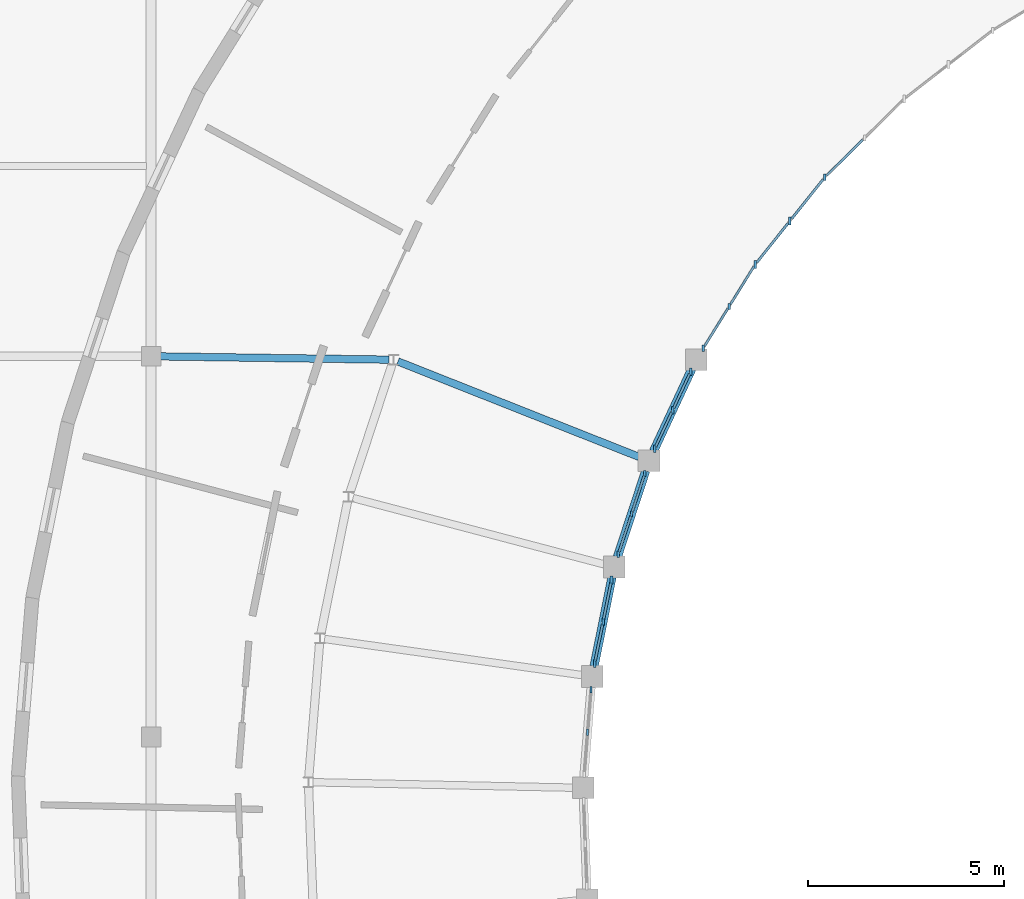
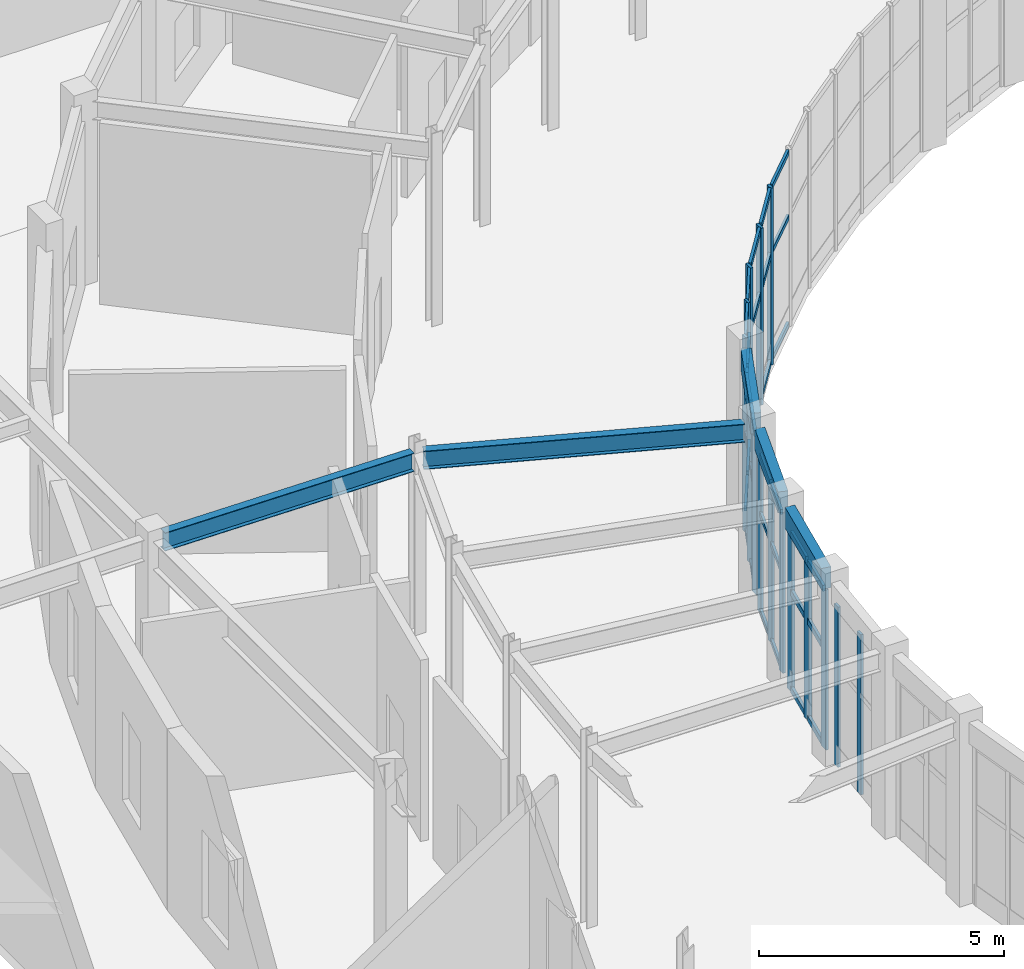
# One storey, part 44 of 144: 49 members, 5 beams, 7 elements without a shape of their own.
"""IFC4 building model written with IfcOpenShell, lengths in metres."""

from ifc_helpers import new_model, si_unit, direction, frame, origin, origin_2d, place, context, subcontext, project, spatial, rectangle, i_section, extrude, material, material_profile, profile_set, type_object, element, aggregate, save


model = new_model("IFC4")

# Units and contexts
model_context = context("Model", 3, precision=1e-05, world=origin(), true_north=direction((0.0, 1.0)))
body_context = subcontext(model_context, "Body", "Model", "MODEL_VIEW")
ifc_project = project(units=[si_unit("LENGTHUNIT", "METRE"), si_unit("AREAUNIT", "SQUARE_METRE"), si_unit("VOLUMEUNIT", "CUBIC_METRE"), si_unit("PLANEANGLEUNIT", "RADIAN"), si_unit("MASSUNIT", "GRAM", prefix="KILO")], contexts=[model_context])

# Site, building, storey
site_placement = place(None, origin())
site = spatial("IfcSite", under=ifc_project, at=site_placement, CompositionType="ELEMENT")
building_placement = place(site_placement, origin())
building = spatial("IfcBuilding", under=site, at=building_placement, Name="Cinderbank Siding Concert Hall", CompositionType="ELEMENT")
storey_placement = place(building_placement, frame((0.0, 0.0, 5.39990234375)))
storey = spatial("IfcBuildingStorey", under=building, at=storey_placement, Name="L02", CompositionType="ELEMENT", Elevation=5.39990234375)

# Beams
ifc_material_1 = material(Name="Structural steel AS/NZS 3679.1 Grade 350 (340 MPa)", Category="steel")
ifc_material_profile_1 = material_profile(ifc_material_1, i_section(OverallWidth=0.18994140625, OverallDepth=0.45751953125, WebThickness=0.009033203125, FlangeThickness=0.014404296875, at=origin_2d()), Name="460UB74.6", Category="LoadBearing")
ifc_profile_set_1 = profile_set([ifc_material_profile_1], Name="Structural steel AS/NZS 3679.1 Grade 350 (340 MPa)")
beam_type_1 = type_object("IfcBeamType", Name="BM-UB460 460UB74.6", PredefinedType="BEAM", material=ifc_profile_set_1)
beam_1_placement = place(storey_placement, frame((33.43701171875, 76.933349609375, 4.29345703125), z_axis=(-0.929777130015, 0.368122925801, 0.0), x_axis=(-0.368122925801, -0.929777130015, 0.0)))
element("IfcBeam", 1, at=beam_1_placement, inside=storey, type_object=beam_type_1, Name="L02 Beam BM-UB460 #963", PredefinedType="BEAM", context=body_context, shape_type="SweptSolid", body=[
    extrude(i_section(OverallWidth=0.18994140625, OverallDepth=0.45751953125, WebThickness=0.009033203125, FlangeThickness=0.014404296875, at=origin_2d()), origin(), (0.0, 0.0, 1.0), 6.61279296875),
])
beam_2_placement = place(storey_placement, frame((21.241943359375, 79.49658203125, 4.29345703125), z_axis=(0.999898727194, -0.014231491667, 0.0), x_axis=(0.014231491667, 0.999898727194, 0.0)))
element("IfcBeam", 2, at=beam_2_placement, inside=storey, type_object=beam_type_1, Name="L02 Beam BM-UB460 #1656", PredefinedType="BEAM", context=body_context, shape_type="SweptSolid", body=[
    extrude(i_section(OverallWidth=0.18994140625, OverallDepth=0.45751953125, WebThickness=0.009033203125, FlangeThickness=0.014404296875, at=origin_2d()), origin(), (0.0, 0.0, 1.0), 5.8154296875),
])

# Curtain wall, member
ifc_material_2 = material(Name="Anodised aluminium alloy 6063-T6", Category="aluminium")
curtain_wall_type_1 = type_object("IfcCurtainWallType", Name="CW-13 Unitised Acoustic Curtain Wall 4200x4400", PredefinedType="NOTDEFINED", material=ifc_material_2)
curtain_wall_1_placement = place(storey_placement, origin())
curtain_wall_1 = element("IfcCurtainWall", 3, at=curtain_wall_1_placement, inside=storey, type_object=curtain_wall_type_1, Name="L02 Curtain Wall CW-13 #112", PredefinedType="NOTDEFINED")
ifc_material_profile_2 = material_profile(ifc_material_2, rectangle(XDim=0.06005859375, YDim=0.159912109375, at=origin_2d()), Name="ALU-MULL-60x160", Category="LoadBearing")
ifc_profile_set_2 = profile_set([ifc_material_profile_2], Name="Anodised aluminium alloy 6063-T6")
member_type_1 = type_object("IfcMemberType", Name="CW-ML1 Mullion 60x160", PredefinedType="MULLION", material=ifc_profile_set_2)
member_1_placement = place(storey_placement, frame((38.16455078125, 84.05908203125, 0.0), z_axis=(0.0, 0.0, 1.0), x_axis=(1.0, 0.0, 0.0)))
member_1 = element("IfcMember", 4, at=member_1_placement, type_object=member_type_1, Name="CW-L02-112 Mullion 2", PredefinedType="MULLION", context=body_context, shape_type="SweptSolid", body=[
    extrude(rectangle(XDim=0.06005859375, YDim=0.159912109375, at=origin_2d()), origin(), (0.0, 0.0, 1.0), 4.400146484375),
])

# Curtain wall, members
curtain_wall_2_placement = place(storey_placement, origin())
curtain_wall_2 = element("IfcCurtainWall", 5, at=curtain_wall_2_placement, inside=storey, type_object=curtain_wall_type_1, Name="L02 Curtain Wall CW-13 #114", PredefinedType="NOTDEFINED")
member_2_placement = place(storey_placement, frame((35.72802734375, 80.769287109375, 0.0), z_axis=(0.0, 0.0, 1.0), x_axis=(1.0, 0.0, 0.0)))
member_2 = element("IfcMember", 6, at=member_2_placement, type_object=member_type_1, Name="CW-L02-114 Mullion 1", PredefinedType="MULLION", context=body_context, shape_type="SweptSolid", body=[
    extrude(rectangle(XDim=0.06005859375, YDim=0.159912109375, at=origin_2d()), origin(), (0.0, 0.0, 1.0), 4.400146484375),
])
member_3_placement = place(storey_placement, frame((35.067626953125, 79.7041015625, 0.0), z_axis=(0.0, 0.0, 1.0), x_axis=(1.0, 0.0, 0.0)))
member_3 = element("IfcMember", 7, at=member_3_placement, type_object=member_type_1, Name="CW-L02-114 Mullion 2", PredefinedType="MULLION", context=body_context, shape_type="SweptSolid", body=[
    extrude(rectangle(XDim=0.06005859375, YDim=0.159912109375, at=origin_2d()), origin(), (0.0, 0.0, 1.0), 4.400146484375),
])

curtain_wall_3_placement = place(storey_placement, origin())
curtain_wall_3 = element("IfcCurtainWall", 8, at=curtain_wall_3_placement, inside=storey, type_object=curtain_wall_type_1, Name="L02 Curtain Wall CW-13 #116", PredefinedType="NOTDEFINED")
member_4_placement = place(storey_placement, frame((33.5791015625, 76.511962890625, 0.0), z_axis=(0.0, 0.0, 1.0), x_axis=(1.0, 0.0, 0.0)))
member_4 = element("IfcMember", 9, at=member_4_placement, type_object=member_type_1, Name="CW-L02-116 Mullion 0", PredefinedType="MULLION", context=body_context, shape_type="SweptSolid", body=[
    extrude(rectangle(XDim=0.06005859375, YDim=0.159912109375, at=origin_2d()), origin(), (0.0, 0.0, 1.0), 3.987060546875),
])
member_5_placement = place(storey_placement, frame((33.24072265625, 75.48291015625, 0.0), z_axis=(0.0, 0.0, 1.0), x_axis=(1.0, 0.0, 0.0)))
member_5 = element("IfcMember", 10, at=member_5_placement, type_object=member_type_1, Name="CW-L02-116 Mullion 1", PredefinedType="MULLION", context=body_context, shape_type="SweptSolid", body=[
    extrude(rectangle(XDim=0.06005859375, YDim=0.159912109375, at=origin_2d()), origin(), (0.0, 0.0, 1.0), 3.987060546875),
])
member_6_placement = place(storey_placement, frame((32.90234375, 74.45361328125, 0.0), z_axis=(0.0, 0.0, 1.0), x_axis=(1.0, 0.0, 0.0)))
member_6 = element("IfcMember", 11, at=member_6_placement, type_object=member_type_1, Name="CW-L02-116 Mullion 2", PredefinedType="MULLION", context=body_context, shape_type="SweptSolid", body=[
    extrude(rectangle(XDim=0.06005859375, YDim=0.159912109375, at=origin_2d()), origin(), (0.0, 0.0, 1.0), 3.987060546875),
])

curtain_wall_4_placement = place(storey_placement, origin())
curtain_wall_4 = element("IfcCurtainWall", 12, at=curtain_wall_4_placement, inside=storey, type_object=curtain_wall_type_1, Name="L02 Curtain Wall CW-13 #118", PredefinedType="NOTDEFINED")
member_7_placement = place(storey_placement, frame((32.206298828125, 71.001220703125, 0.0), z_axis=(0.0, 0.0, 1.0), x_axis=(1.0, 0.0, 0.0)))
member_7 = element("IfcMember", 13, at=member_7_placement, type_object=member_type_1, Name="CW-L02-118 Mullion 0", PredefinedType="MULLION", context=body_context, shape_type="SweptSolid", body=[
    extrude(rectangle(XDim=0.06005859375, YDim=0.159912109375, at=origin_2d()), origin(), (0.0, 0.0, 1.0), 3.987060546875),
])
member_8_placement = place(storey_placement, frame((32.119384765625, 69.92138671875, 0.0), z_axis=(0.0, 0.0, 1.0), x_axis=(1.0, 0.0, 0.0)))
member_8 = element("IfcMember", 14, at=member_8_placement, type_object=member_type_1, Name="CW-L02-118 Mullion 1", PredefinedType="MULLION", context=body_context, shape_type="SweptSolid", body=[
    extrude(rectangle(XDim=0.06005859375, YDim=0.159912109375, at=origin_2d()), origin(), (0.0, 0.0, 1.0), 3.987060546875),
])
aggregate(curtain_wall_4, [member_7, member_8])

curtain_wall_type_2 = type_object("IfcCurtainWallType", Name="CW-14 Unitised Acoustic Curtain Wall 4200x3800", PredefinedType="NOTDEFINED", material=ifc_material_2)
curtain_wall_5_placement = place(storey_placement, origin())
curtain_wall_5 = element("IfcCurtainWall", 15, at=curtain_wall_5_placement, inside=storey, type_object=curtain_wall_type_2, Name="L02 Curtain Wall CW-14 #113", PredefinedType="NOTDEFINED")
ifc_material_profile_3 = material_profile(ifc_material_2, rectangle(XDim=0.06494140625, YDim=0.199951171875, at=origin_2d()), Name="ALU-MULL-65x200", Category="LoadBearing")
ifc_profile_set_3 = profile_set([ifc_material_profile_3], Name="Anodised aluminium alloy 6063-T6")
member_type_2 = type_object("IfcMemberType", Name="CW-ML2 Mullion 65x200", PredefinedType="MULLION", material=ifc_profile_set_3)
member_9_placement = place(storey_placement, frame((37.276611328125, 82.94677734375, 0.0), z_axis=(0.0, 0.0, 1.0), x_axis=(1.0, 0.0, 0.0)))
member_9 = element("IfcMember", 16, at=member_9_placement, type_object=member_type_2, Name="CW-L02-113 Mullion 1", PredefinedType="MULLION", context=body_context, shape_type="SweptSolid", body=[
    extrude(rectangle(XDim=0.06494140625, YDim=0.199951171875, at=origin_2d()), origin(), (0.0, 0.0, 1.0), 4.400146484375),
])
member_10_placement = place(storey_placement, frame((36.388427734375, 81.83447265625, 0.0), z_axis=(0.0, 0.0, 1.0), x_axis=(1.0, 0.0, 0.0)))
member_10 = element("IfcMember", 17, at=member_10_placement, type_object=member_type_2, Name="CW-L02-113 Mullion 2", PredefinedType="MULLION", context=body_context, shape_type="SweptSolid", body=[
    extrude(rectangle(XDim=0.06494140625, YDim=0.199951171875, at=origin_2d()), origin(), (0.0, 0.0, 1.0), 4.400146484375),
])

curtain_wall_6_placement = place(storey_placement, origin())
curtain_wall_6 = element("IfcCurtainWall", 18, at=curtain_wall_6_placement, inside=storey, type_object=curtain_wall_type_2, Name="L02 Curtain Wall CW-14 #115", PredefinedType="NOTDEFINED")
member_11_placement = place(storey_placement, frame((34.74462890625, 79.10693359375, 0.0), z_axis=(0.0, 0.0, 1.0), x_axis=(1.0, 0.0, 0.0)))
member_11 = element("IfcMember", 19, at=member_11_placement, type_object=member_type_2, Name="CW-L02-115 Mullion 0", PredefinedType="MULLION", context=body_context, shape_type="SweptSolid", body=[
    extrude(rectangle(XDim=0.06494140625, YDim=0.199951171875, at=origin_2d()), origin(), (0.0, 0.0, 1.0), 3.987060546875),
])
member_12_placement = place(storey_placement, frame((34.286865234375, 78.125, 0.0), z_axis=(0.0, 0.0, 1.0), x_axis=(1.0, 0.0, 0.0)))
member_12 = element("IfcMember", 20, at=member_12_placement, type_object=member_type_2, Name="CW-L02-115 Mullion 1", PredefinedType="MULLION", context=body_context, shape_type="SweptSolid", body=[
    extrude(rectangle(XDim=0.06494140625, YDim=0.199951171875, at=origin_2d()), origin(), (0.0, 0.0, 1.0), 3.987060546875),
])
member_13_placement = place(storey_placement, frame((33.8291015625, 77.14306640625, 0.0), z_axis=(0.0, 0.0, 1.0), x_axis=(1.0, 0.0, 0.0)))
member_13 = element("IfcMember", 21, at=member_13_placement, type_object=member_type_2, Name="CW-L02-115 Mullion 2", PredefinedType="MULLION", context=body_context, shape_type="SweptSolid", body=[
    extrude(rectangle(XDim=0.06494140625, YDim=0.199951171875, at=origin_2d()), origin(), (0.0, 0.0, 1.0), 3.987060546875),
])

curtain_wall_7_placement = place(storey_placement, origin())
curtain_wall_7 = element("IfcCurtainWall", 22, at=curtain_wall_7_placement, inside=storey, type_object=curtain_wall_type_2, Name="L02 Curtain Wall CW-14 #117", PredefinedType="NOTDEFINED")
member_14_placement = place(storey_placement, frame((32.72900390625, 73.79736328125, 0.0), z_axis=(0.0, 0.0, 1.0), x_axis=(1.0, 0.0, 0.0)))
member_14 = element("IfcMember", 23, at=member_14_placement, type_object=member_type_2, Name="CW-L02-117 Mullion 0", PredefinedType="MULLION", context=body_context, shape_type="SweptSolid", body=[
    extrude(rectangle(XDim=0.06494140625, YDim=0.199951171875, at=origin_2d()), origin(), (0.0, 0.0, 1.0), 3.987060546875),
])
member_15_placement = place(storey_placement, frame((32.514892578125, 72.735595703125, 0.0), z_axis=(0.0, 0.0, 1.0), x_axis=(1.0, 0.0, 0.0)))
member_15 = element("IfcMember", 24, at=member_15_placement, type_object=member_type_2, Name="CW-L02-117 Mullion 1", PredefinedType="MULLION", context=body_context, shape_type="SweptSolid", body=[
    extrude(rectangle(XDim=0.06494140625, YDim=0.199951171875, at=origin_2d()), origin(), (0.0, 0.0, 1.0), 3.987060546875),
])
member_16_placement = place(storey_placement, frame((32.30078125, 71.673583984375, 0.0), z_axis=(0.0, 0.0, 1.0), x_axis=(1.0, 0.0, 0.0)))
member_16 = element("IfcMember", 25, at=member_16_placement, type_object=member_type_2, Name="CW-L02-117 Mullion 2", PredefinedType="MULLION", context=body_context, shape_type="SweptSolid", body=[
    extrude(rectangle(XDim=0.06494140625, YDim=0.199951171875, at=origin_2d()), origin(), (0.0, 0.0, 1.0), 3.987060546875),
])

# Member
ifc_material_profile_4 = material_profile(ifc_material_2, rectangle(XDim=0.06005859375, YDim=0.1201171875, at=origin_2d()), Name="ALU-TRAN-60x120", Category="LoadBearing")
ifc_profile_set_4 = profile_set([ifc_material_profile_4], Name="Anodised aluminium alloy 6063-T6")
member_type_3 = type_object("IfcMemberType", Name="CW-TR1 Transom 60x120", PredefinedType="USERDEFINED", material=ifc_profile_set_4)
member_17_placement = place(storey_placement, frame((39.127197265625, 85.008544921875, 0.06005859375), z_axis=(-0.71204476129, -0.702134074034, 0.0), x_axis=(0.702134074034, -0.71204476129, 0.0)))
member_17 = element("IfcMember", 26, at=member_17_placement, type_object=member_type_3, Name="CW-L02-112 Transom 1-0", ObjectType="TRANSOM", PredefinedType="USERDEFINED", context=body_context, shape_type="SweptSolid", body=[
    extrude(rectangle(XDim=0.06005859375, YDim=0.1201171875, at=origin_2d()), origin(), (0.0, 0.0, 1.0), 1.281005859375),
])

member_18_placement = place(storey_placement, frame((39.127197265625, 85.008544921875, 2.72802734375), z_axis=(-0.71204476129, -0.702134074034, 0.0), x_axis=(0.702134074034, -0.71204476129, 0.0)))
member_18 = element("IfcMember", 27, at=member_18_placement, type_object=member_type_3, Name="CW-L02-112 Transom 1-1", ObjectType="TRANSOM", PredefinedType="USERDEFINED", context=body_context, shape_type="SweptSolid", body=[
    extrude(rectangle(XDim=0.06005859375, YDim=0.1201171875, at=origin_2d()), origin(), (0.0, 0.0, 1.0), 1.281005859375),
])

member_19_placement = place(storey_placement, frame((39.127197265625, 85.008544921875, 4.340087890625), z_axis=(-0.71204476129, -0.702134074034, 0.0), x_axis=(0.702134074034, -0.71204476129, 0.0)))
member_19 = element("IfcMember", 28, at=member_19_placement, type_object=member_type_3, Name="CW-L02-112 Transom 1-2", ObjectType="TRANSOM", PredefinedType="USERDEFINED", context=body_context, shape_type="SweptSolid", body=[
    extrude(rectangle(XDim=0.06005859375, YDim=0.1201171875, at=origin_2d()), origin(), (0.0, 0.0, 1.0), 1.281005859375),
])

aggregate(curtain_wall_1, [member_1, member_17, member_18, member_19])

member_20_placement = place(storey_placement, frame((36.35546875, 81.781005859375, 0.06005859375), z_axis=(-0.527077254973, -0.849817372905, 0.0), x_axis=(0.849817372905, -0.527077254973, 0.0)))
member_20 = element("IfcMember", 29, at=member_20_placement, type_object=member_type_3, Name="CW-L02-114 Transom 0-0", ObjectType="TRANSOM", PredefinedType="USERDEFINED", context=body_context, shape_type="SweptSolid", body=[
    extrude(rectangle(XDim=0.06005859375, YDim=0.1201171875, at=origin_2d()), origin(), (0.0, 0.0, 1.0), 1.1279296875),
])

member_21_placement = place(storey_placement, frame((36.35546875, 81.781005859375, 2.72802734375), z_axis=(-0.527077254973, -0.849817372905, 0.0), x_axis=(0.849817372905, -0.527077254973, 0.0)))
member_21 = element("IfcMember", 30, at=member_21_placement, type_object=member_type_3, Name="CW-L02-114 Transom 0-1", ObjectType="TRANSOM", PredefinedType="USERDEFINED", context=body_context, shape_type="SweptSolid", body=[
    extrude(rectangle(XDim=0.06005859375, YDim=0.1201171875, at=origin_2d()), origin(), (0.0, 0.0, 1.0), 1.1279296875),
])

member_22_placement = place(storey_placement, frame((36.35546875, 81.781005859375, 4.340087890625), z_axis=(-0.527077254973, -0.849817372905, 0.0), x_axis=(0.849817372905, -0.527077254973, 0.0)))
member_22 = element("IfcMember", 31, at=member_22_placement, type_object=member_type_3, Name="CW-L02-114 Transom 0-2", ObjectType="TRANSOM", PredefinedType="USERDEFINED", context=body_context, shape_type="SweptSolid", body=[
    extrude(rectangle(XDim=0.06005859375, YDim=0.1201171875, at=origin_2d()), origin(), (0.0, 0.0, 1.0), 1.1279296875),
])

member_23_placement = place(storey_placement, frame((35.695068359375, 80.7158203125, 0.06005859375), z_axis=(-0.526980313264, -0.849877490837, 0.0), x_axis=(0.849877490837, -0.526980313264, 0.0)))
member_23 = element("IfcMember", 32, at=member_23_placement, type_object=member_type_3, Name="CW-L02-114 Transom 1-0", ObjectType="TRANSOM", PredefinedType="USERDEFINED", context=body_context, shape_type="SweptSolid", body=[
    extrude(rectangle(XDim=0.06005859375, YDim=0.1201171875, at=origin_2d()), origin(), (0.0, 0.0, 1.0), 1.128173828125),
])

member_24_placement = place(storey_placement, frame((35.695068359375, 80.7158203125, 2.72802734375), z_axis=(-0.526980313264, -0.849877490837, 0.0), x_axis=(0.849877490837, -0.526980313264, 0.0)))
member_24 = element("IfcMember", 33, at=member_24_placement, type_object=member_type_3, Name="CW-L02-114 Transom 1-1", ObjectType="TRANSOM", PredefinedType="USERDEFINED", context=body_context, shape_type="SweptSolid", body=[
    extrude(rectangle(XDim=0.06005859375, YDim=0.1201171875, at=origin_2d()), origin(), (0.0, 0.0, 1.0), 1.128173828125),
])

member_25_placement = place(storey_placement, frame((35.695068359375, 80.7158203125, 4.340087890625), z_axis=(-0.526980313264, -0.849877490837, 0.0), x_axis=(0.849877490837, -0.526980313264, 0.0)))
member_25 = element("IfcMember", 34, at=member_25_placement, type_object=member_type_3, Name="CW-L02-114 Transom 1-2", ObjectType="TRANSOM", PredefinedType="USERDEFINED", context=body_context, shape_type="SweptSolid", body=[
    extrude(rectangle(XDim=0.06005859375, YDim=0.1201171875, at=origin_2d()), origin(), (0.0, 0.0, 1.0), 1.128173828125),
])

aggregate(curtain_wall_2, [member_2, member_3, member_20, member_21, member_22, member_23, member_24, member_25])

member_26_placement = place(storey_placement, frame((33.562255859375, 76.460693359375, 0.06005859375), z_axis=(-0.312169427758, -0.950026446144, 0.0), x_axis=(0.950026446144, -0.312169427758, 0.0)))
member_26 = element("IfcMember", 35, at=member_26_placement, type_object=member_type_3, Name="CW-L02-116 Transom 0-0", ObjectType="TRANSOM", PredefinedType="USERDEFINED", context=body_context, shape_type="SweptSolid", body=[
    extrude(rectangle(XDim=0.06005859375, YDim=0.1201171875, at=origin_2d()), origin(), (0.0, 0.0, 1.0), 0.975341796875),
])

member_27_placement = place(storey_placement, frame((33.562255859375, 76.460693359375, 2.471923828125), z_axis=(-0.312169427758, -0.950026446144, 0.0), x_axis=(0.950026446144, -0.312169427758, 0.0)))
member_27 = element("IfcMember", 36, at=member_27_placement, type_object=member_type_3, Name="CW-L02-116 Transom 0-1", ObjectType="TRANSOM", PredefinedType="USERDEFINED", context=body_context, shape_type="SweptSolid", body=[
    extrude(rectangle(XDim=0.06005859375, YDim=0.1201171875, at=origin_2d()), origin(), (0.0, 0.0, 1.0), 0.975341796875),
])

member_28_placement = place(storey_placement, frame((33.562255859375, 76.460693359375, 3.927001953125), z_axis=(-0.312169427758, -0.950026446144, 0.0), x_axis=(0.950026446144, -0.312169427758, 0.0)))
member_28 = element("IfcMember", 37, at=member_28_placement, type_object=member_type_3, Name="CW-L02-116 Transom 0-2", ObjectType="TRANSOM", PredefinedType="USERDEFINED", context=body_context, shape_type="SweptSolid", body=[
    extrude(rectangle(XDim=0.06005859375, YDim=0.1201171875, at=origin_2d()), origin(), (0.0, 0.0, 1.0), 0.975341796875),
])

member_29_placement = place(storey_placement, frame((33.223876953125, 75.431396484375, 0.06005859375), z_axis=(-0.312469643283, -0.949927745687, 0.0), x_axis=(0.949927745687, -0.312469643283, 0.0)))
member_29 = element("IfcMember", 38, at=member_29_placement, type_object=member_type_3, Name="CW-L02-116 Transom 1-0", ObjectType="TRANSOM", PredefinedType="USERDEFINED", context=body_context, shape_type="SweptSolid", body=[
    extrude(rectangle(XDim=0.06005859375, YDim=0.1201171875, at=origin_2d()), origin(), (0.0, 0.0, 1.0), 0.97509765625),
])

member_30_placement = place(storey_placement, frame((33.223876953125, 75.431396484375, 2.471923828125), z_axis=(-0.312469643283, -0.949927745687, 0.0), x_axis=(0.949927745687, -0.312469643283, 0.0)))
member_30 = element("IfcMember", 39, at=member_30_placement, type_object=member_type_3, Name="CW-L02-116 Transom 1-1", ObjectType="TRANSOM", PredefinedType="USERDEFINED", context=body_context, shape_type="SweptSolid", body=[
    extrude(rectangle(XDim=0.06005859375, YDim=0.1201171875, at=origin_2d()), origin(), (0.0, 0.0, 1.0), 0.97509765625),
])

member_31_placement = place(storey_placement, frame((33.223876953125, 75.431396484375, 3.927001953125), z_axis=(-0.312469643283, -0.949927745687, 0.0), x_axis=(0.949927745687, -0.312469643283, 0.0)))
member_31 = element("IfcMember", 40, at=member_31_placement, type_object=member_type_3, Name="CW-L02-116 Transom 1-2", ObjectType="TRANSOM", PredefinedType="USERDEFINED", context=body_context, shape_type="SweptSolid", body=[
    extrude(rectangle(XDim=0.06005859375, YDim=0.1201171875, at=origin_2d()), origin(), (0.0, 0.0, 1.0), 0.97509765625),
])

aggregate(curtain_wall_3, [member_4, member_5, member_6, member_26, member_27, member_28, member_29, member_30, member_31])

ifc_material_profile_5 = material_profile(ifc_material_2, rectangle(XDim=0.06494140625, YDim=0.14990234375, at=origin_2d()), Name="ALU-TRAN-65x150", Category="LoadBearing")
ifc_profile_set_5 = profile_set([ifc_material_profile_5], Name="Anodised aluminium alloy 6063-T6")
member_type_4 = type_object("IfcMemberType", Name="CW-TR2 Transom 65x150", PredefinedType="USERDEFINED", material=ifc_profile_set_5)
member_32_placement = place(storey_placement, frame((38.1201171875, 84.00341796875, 0.06005859375), z_axis=(-0.623997511467, -0.781426327738, 0.0), x_axis=(0.781426327738, -0.623997511467, 0.0)))
member_32 = element("IfcMember", 41, at=member_32_placement, type_object=member_type_4, Name="CW-L02-113 Transom 0-0", ObjectType="TRANSOM", PredefinedType="USERDEFINED", context=body_context, shape_type="SweptSolid", body=[
    extrude(rectangle(XDim=0.06494140625, YDim=0.14990234375, at=origin_2d()), origin(), (0.0, 0.0, 1.0), 1.281005859375),
])

member_33_placement = place(storey_placement, frame((38.1201171875, 84.00341796875, 2.72802734375), z_axis=(-0.623997511467, -0.781426327738, 0.0), x_axis=(0.781426327738, -0.623997511467, 0.0)))
member_33 = element("IfcMember", 42, at=member_33_placement, type_object=member_type_4, Name="CW-L02-113 Transom 0-1", ObjectType="TRANSOM", PredefinedType="USERDEFINED", context=body_context, shape_type="SweptSolid", body=[
    extrude(rectangle(XDim=0.06494140625, YDim=0.14990234375, at=origin_2d()), origin(), (0.0, 0.0, 1.0), 1.281005859375),
])

member_34_placement = place(storey_placement, frame((38.1201171875, 84.00341796875, 4.340087890625), z_axis=(-0.623997511467, -0.781426327738, 0.0), x_axis=(0.781426327738, -0.623997511467, 0.0)))
member_34 = element("IfcMember", 43, at=member_34_placement, type_object=member_type_4, Name="CW-L02-113 Transom 0-2", ObjectType="TRANSOM", PredefinedType="USERDEFINED", context=body_context, shape_type="SweptSolid", body=[
    extrude(rectangle(XDim=0.06494140625, YDim=0.14990234375, at=origin_2d()), origin(), (0.0, 0.0, 1.0), 1.281005859375),
])

member_35_placement = place(storey_placement, frame((37.232177734375, 82.89111328125, 0.06005859375), z_axis=(-0.623904586799, -0.781500522438, 0.0), x_axis=(0.781500522438, -0.623904586799, 0.0)))
member_35 = element("IfcMember", 44, at=member_35_placement, type_object=member_type_4, Name="CW-L02-113 Transom 1-0", ObjectType="TRANSOM", PredefinedType="USERDEFINED", context=body_context, shape_type="SweptSolid", body=[
    extrude(rectangle(XDim=0.06494140625, YDim=0.14990234375, at=origin_2d()), origin(), (0.0, 0.0, 1.0), 1.28125),
])

member_36_placement = place(storey_placement, frame((37.232177734375, 82.89111328125, 2.72802734375), z_axis=(-0.623904586799, -0.781500522438, 0.0), x_axis=(0.781500522438, -0.623904586799, 0.0)))
member_36 = element("IfcMember", 45, at=member_36_placement, type_object=member_type_4, Name="CW-L02-113 Transom 1-1", ObjectType="TRANSOM", PredefinedType="USERDEFINED", context=body_context, shape_type="SweptSolid", body=[
    extrude(rectangle(XDim=0.06494140625, YDim=0.14990234375, at=origin_2d()), origin(), (0.0, 0.0, 1.0), 1.28125),
])

member_37_placement = place(storey_placement, frame((37.232177734375, 82.89111328125, 4.340087890625), z_axis=(-0.623904586799, -0.781500522438, 0.0), x_axis=(0.781500522438, -0.623904586799, 0.0)))
member_37 = element("IfcMember", 46, at=member_37_placement, type_object=member_type_4, Name="CW-L02-113 Transom 1-2", ObjectType="TRANSOM", PredefinedType="USERDEFINED", context=body_context, shape_type="SweptSolid", body=[
    extrude(rectangle(XDim=0.06494140625, YDim=0.14990234375, at=origin_2d()), origin(), (0.0, 0.0, 1.0), 1.28125),
])

aggregate(curtain_wall_5, [member_9, member_10, member_32, member_33, member_34, member_35, member_36, member_37])

member_38_placement = place(storey_placement, frame((34.7216796875, 79.057861328125, 0.06005859375), z_axis=(-0.422405646797, -0.906406900655, 0.0), x_axis=(0.906406900655, -0.422405646797, 0.0)))
member_38 = element("IfcMember", 47, at=member_38_placement, type_object=member_type_4, Name="CW-L02-115 Transom 0-0", ObjectType="TRANSOM", PredefinedType="USERDEFINED", context=body_context, shape_type="SweptSolid", body=[
    extrude(rectangle(XDim=0.06494140625, YDim=0.14990234375, at=origin_2d()), origin(), (0.0, 0.0, 1.0), 0.97509765625),
])

member_39_placement = place(storey_placement, frame((34.7216796875, 79.057861328125, 2.471923828125), z_axis=(-0.422405646797, -0.906406900655, 0.0), x_axis=(0.906406900655, -0.422405646797, 0.0)))
member_39 = element("IfcMember", 48, at=member_39_placement, type_object=member_type_4, Name="CW-L02-115 Transom 0-1", ObjectType="TRANSOM", PredefinedType="USERDEFINED", context=body_context, shape_type="SweptSolid", body=[
    extrude(rectangle(XDim=0.06494140625, YDim=0.14990234375, at=origin_2d()), origin(), (0.0, 0.0, 1.0), 0.97509765625),
])

member_40_placement = place(storey_placement, frame((34.7216796875, 79.057861328125, 3.927001953125), z_axis=(-0.422405646797, -0.906406900655, 0.0), x_axis=(0.906406900655, -0.422405646797, 0.0)))
member_40 = element("IfcMember", 49, at=member_40_placement, type_object=member_type_4, Name="CW-L02-115 Transom 0-2", ObjectType="TRANSOM", PredefinedType="USERDEFINED", context=body_context, shape_type="SweptSolid", body=[
    extrude(rectangle(XDim=0.06494140625, YDim=0.14990234375, at=origin_2d()), origin(), (0.0, 0.0, 1.0), 0.97509765625),
])

member_41_placement = place(storey_placement, frame((34.263916015625, 78.075927734375, 0.06005859375), z_axis=(-0.422405646797, -0.906406900655, 0.0), x_axis=(0.906406900655, -0.422405646797, 0.0)))
member_41 = element("IfcMember", 50, at=member_41_placement, type_object=member_type_4, Name="CW-L02-115 Transom 1-0", ObjectType="TRANSOM", PredefinedType="USERDEFINED", context=body_context, shape_type="SweptSolid", body=[
    extrude(rectangle(XDim=0.06494140625, YDim=0.14990234375, at=origin_2d()), origin(), (0.0, 0.0, 1.0), 0.97509765625),
])

member_42_placement = place(storey_placement, frame((34.263916015625, 78.075927734375, 2.471923828125), z_axis=(-0.422405646797, -0.906406900655, 0.0), x_axis=(0.906406900655, -0.422405646797, 0.0)))
member_42 = element("IfcMember", 51, at=member_42_placement, type_object=member_type_4, Name="CW-L02-115 Transom 1-1", ObjectType="TRANSOM", PredefinedType="USERDEFINED", context=body_context, shape_type="SweptSolid", body=[
    extrude(rectangle(XDim=0.06494140625, YDim=0.14990234375, at=origin_2d()), origin(), (0.0, 0.0, 1.0), 0.97509765625),
])

member_43_placement = place(storey_placement, frame((34.263916015625, 78.075927734375, 3.927001953125), z_axis=(-0.422405646797, -0.906406900655, 0.0), x_axis=(0.906406900655, -0.422405646797, 0.0)))
member_43 = element("IfcMember", 52, at=member_43_placement, type_object=member_type_4, Name="CW-L02-115 Transom 1-2", ObjectType="TRANSOM", PredefinedType="USERDEFINED", context=body_context, shape_type="SweptSolid", body=[
    extrude(rectangle(XDim=0.06494140625, YDim=0.14990234375, at=origin_2d()), origin(), (0.0, 0.0, 1.0), 0.97509765625),
])

aggregate(curtain_wall_6, [member_11, member_12, member_13, member_38, member_39, member_40, member_41, member_42, member_43])

member_44_placement = place(storey_placement, frame((32.71826171875, 73.744384765625, 0.06005859375), z_axis=(-0.197560500421, -0.980290696005, 0.0), x_axis=(0.980290696005, -0.197560500421, 0.0)))
member_44 = element("IfcMember", 53, at=member_44_placement, type_object=member_type_4, Name="CW-L02-117 Transom 0-0", ObjectType="TRANSOM", PredefinedType="USERDEFINED", context=body_context, shape_type="SweptSolid", body=[
    extrude(rectangle(XDim=0.06494140625, YDim=0.14990234375, at=origin_2d()), origin(), (0.0, 0.0, 1.0), 0.97509765625),
])

member_45_placement = place(storey_placement, frame((32.71826171875, 73.744384765625, 2.471923828125), z_axis=(-0.197560500421, -0.980290696005, 0.0), x_axis=(0.980290696005, -0.197560500421, 0.0)))
member_45 = element("IfcMember", 54, at=member_45_placement, type_object=member_type_4, Name="CW-L02-117 Transom 0-1", ObjectType="TRANSOM", PredefinedType="USERDEFINED", context=body_context, shape_type="SweptSolid", body=[
    extrude(rectangle(XDim=0.06494140625, YDim=0.14990234375, at=origin_2d()), origin(), (0.0, 0.0, 1.0), 0.97509765625),
])

member_46_placement = place(storey_placement, frame((32.71826171875, 73.744384765625, 3.927001953125), z_axis=(-0.197560500421, -0.980290696005, 0.0), x_axis=(0.980290696005, -0.197560500421, 0.0)))
member_46 = element("IfcMember", 55, at=member_46_placement, type_object=member_type_4, Name="CW-L02-117 Transom 0-2", ObjectType="TRANSOM", PredefinedType="USERDEFINED", context=body_context, shape_type="SweptSolid", body=[
    extrude(rectangle(XDim=0.06494140625, YDim=0.14990234375, at=origin_2d()), origin(), (0.0, 0.0, 1.0), 0.97509765625),
])

member_47_placement = place(storey_placement, frame((32.504150390625, 72.682373046875, 0.06005859375), z_axis=(-0.197560500421, -0.980290696005, 0.0), x_axis=(0.980290696005, -0.197560500421, 0.0)))
member_47 = element("IfcMember", 56, at=member_47_placement, type_object=member_type_4, Name="CW-L02-117 Transom 1-0", ObjectType="TRANSOM", PredefinedType="USERDEFINED", context=body_context, shape_type="SweptSolid", body=[
    extrude(rectangle(XDim=0.06494140625, YDim=0.14990234375, at=origin_2d()), origin(), (0.0, 0.0, 1.0), 0.97509765625),
])

member_48_placement = place(storey_placement, frame((32.504150390625, 72.682373046875, 2.471923828125), z_axis=(-0.197560500421, -0.980290696005, 0.0), x_axis=(0.980290696005, -0.197560500421, 0.0)))
member_48 = element("IfcMember", 57, at=member_48_placement, type_object=member_type_4, Name="CW-L02-117 Transom 1-1", ObjectType="TRANSOM", PredefinedType="USERDEFINED", context=body_context, shape_type="SweptSolid", body=[
    extrude(rectangle(XDim=0.06494140625, YDim=0.14990234375, at=origin_2d()), origin(), (0.0, 0.0, 1.0), 0.97509765625),
])

member_49_placement = place(storey_placement, frame((32.504150390625, 72.682373046875, 3.927001953125), z_axis=(-0.197560500421, -0.980290696005, 0.0), x_axis=(0.980290696005, -0.197560500421, 0.0)))
member_49 = element("IfcMember", 58, at=member_49_placement, type_object=member_type_4, Name="CW-L02-117 Transom 1-2", ObjectType="TRANSOM", PredefinedType="USERDEFINED", context=body_context, shape_type="SweptSolid", body=[
    extrude(rectangle(XDim=0.06494140625, YDim=0.14990234375, at=origin_2d()), origin(), (0.0, 0.0, 1.0), 0.97509765625),
])

aggregate(curtain_wall_7, [member_14, member_15, member_16, member_44, member_45, member_46, member_47, member_48, member_49])

# Beams
ifc_material_3 = material(Name="Spotted gum glulam timber GL18 (42 MPa)", Category="wood")
ifc_material_profile_6 = material_profile(ifc_material_3, rectangle(XDim=0.215087890625, YDim=0.52001953125, at=origin_2d()), Name="GL18-215x520", Category="LoadBearing")
ifc_profile_set_6 = profile_set([ifc_material_profile_6], Name="Spotted gum glulam timber GL18 (42 MPa)")
beam_type_2 = type_object("IfcBeamType", Name="SP-GL520 GL18-215x520", PredefinedType="SPANDREL", material=ifc_profile_set_6)
beam_3_placement = place(storey_placement, frame((34.775634765625, 79.173095703125, 4.26220703125), z_axis=(-0.422642750407, -0.906296367381, 0.0), x_axis=(0.906296367381, -0.422642750407, 0.0)))
element("IfcBeam", 59, at=beam_3_placement, inside=storey, type_object=beam_type_2, Name="L02 Beam SP-GL520 #962", PredefinedType="SPANDREL", context=body_context, shape_type="SweptSolid", body=[
    extrude(rectangle(XDim=0.215087890625, YDim=0.52001953125, at=origin_2d()), origin(), (0.0, 0.0, 1.0), 2.31298828125),
])
for number, where, z_axis, x_axis, name in (
    (60, (33.60205078125, 76.581298828125, 4.26220703125), (-0.312361530126, -0.949963301658, 0.0), (0.949963301658, -0.312361530126, 0.0), "L02 Beam SP-GL520 #964"),
    (61, (32.743408203125, 73.868896484375, 4.26220703125), (-0.19761817994, -0.980279069937, 0.0), (0.980279069937, -0.19761817994, 0.0), "L02 Beam SP-GL520 #967"),
):
    element("IfcBeam", number, at=place(storey_placement, frame(where, z_axis=z_axis, x_axis=x_axis)), inside=storey, type_object=beam_type_2, Name=name, PredefinedType="SPANDREL", context=body_context, shape_type="SweptSolid", body=[
        extrude(rectangle(XDim=0.215087890625, YDim=0.52001953125, at=origin_2d()), origin(), (0.0, 0.0, 1.0), 2.312744140625),
    ])

save(model, "model.ifc")
